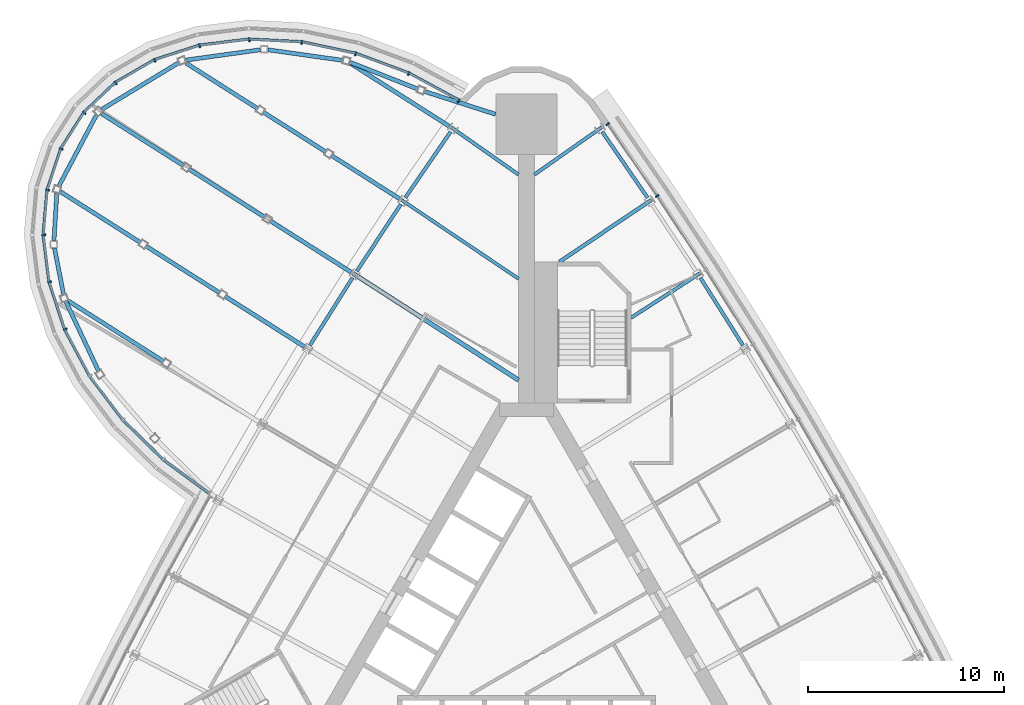
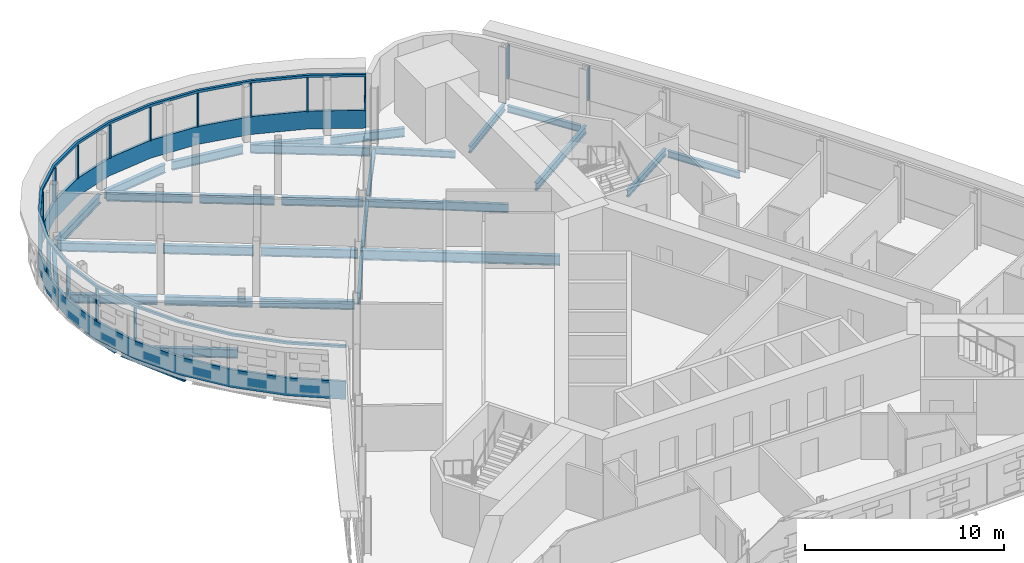
# One storey, part 8 of 17: 31 beams, 18 members, 2 elements without a shape of their own.
"""IFC4 building model written with IfcOpenShell, lengths in metres."""

from ifc_helpers import new_model, si_unit, direction, frame, origin, origin_2d, place, context, subcontext, project, spatial, polyline, rectangle, i_section, outline, extrude, material, material_profile, profile_set, type_object, element, aggregate, save


model = new_model("IFC4")

# Units and contexts
model_context = context("Model", 3, precision=1e-05, world=origin(), true_north=direction((0.0, 1.0)))
body_context = subcontext(model_context, "Body", "Model", "MODEL_VIEW")
ifc_project = project(units=[si_unit("LENGTHUNIT", "METRE"), si_unit("AREAUNIT", "SQUARE_METRE"), si_unit("VOLUMEUNIT", "CUBIC_METRE"), si_unit("PLANEANGLEUNIT", "RADIAN"), si_unit("MASSUNIT", "GRAM", prefix="KILO")], contexts=[model_context])

# Site, building, storey
site_placement = place(None, origin())
site = spatial("IfcSite", under=ifc_project, at=site_placement, CompositionType="ELEMENT")
building_placement = place(site_placement, origin())
building = spatial("IfcBuilding", under=site, at=building_placement, Name="Noor Cloister Tower", CompositionType="ELEMENT")
storey_placement = place(building_placement, frame((0.0, 0.0, 98.699951171875)))
storey = spatial("IfcBuildingStorey", under=building, at=storey_placement, Name="L25", CompositionType="ELEMENT", Elevation=98.699951171875)

# Curtain wall, member
ifc_material_1 = material(Name="Aluminium 6063-T6 anodised", Category="aluminium")
curtain_wall_type_1 = type_object("IfcCurtainWallType", Name="Sky bar curtain wall, lower bars CW2", PredefinedType="NOTDEFINED", material=ifc_material_1)
curtain_wall_1_placement = place(storey_placement, origin())
curtain_wall_1 = element("IfcCurtainWall", 1, at=curtain_wall_1_placement, inside=storey, type_object=curtain_wall_type_1, Name="CW2 L25 NW sky bar run 1", PredefinedType="NOTDEFINED")
ifc_material_2 = material(Name="Aluminium 6063-T6 anodised", Category="aluminium")
member_type_1 = type_object("IfcMemberType", Name="Head transom CW2 150", PredefinedType="USERDEFINED", material=ifc_material_2)
member_1_placement = place(storey_placement, frame((0.0, 0.0, 3.150146484375)))
member_1 = element("IfcMember", 2, at=member_1_placement, type_object=member_type_1, Name="CW2 head transom", ObjectType="TRANSOM", PredefinedType="USERDEFINED", context=body_context, shape_type="SweptSolid", body=[
    extrude(outline(polyline([(-3.37548828125, 26.95263671875), (-5.96630859375, 28.357666015625), (-8.68701171875, 29.370849609375), (-11.445556640625, 29.9580078125), (-14.147705078125, 30.098876953125), (-16.70166015625, 29.7890625), (-19.02001953125, 29.03857421875), (-21.0244140625, 27.873291015625), (-22.646240234375, 26.332763671875), (-23.830078125, 24.469482421875), (-24.5361328125, 22.34716796875), (-24.739990234375, 20.03759765625), (-24.434814453125, 17.619873046875), (-23.631103515625, 15.17626953125), (-22.35595703125, 12.78955078125), (-20.65283203125, 10.54150390625), (-18.580078125, 8.508544921875), (-16.2080078125, 6.759765625), (-16.125, 6.872314453125), (-18.489013671875, 8.615234375), (-20.547607421875, 10.63427734375), (-22.237548828125, 12.865234375), (-23.501708984375, 15.2314453125), (-24.297607421875, 17.65087890625), (-24.59912109375, 20.040283203125), (-24.398193359375, 22.318603515625), (-23.70263671875, 24.408935546875), (-22.537109375, 26.2431640625), (-20.93994140625, 27.760498046875), (-18.962646484375, 28.909912109375), (-16.67138671875, 29.651611328125), (-14.142822265625, 29.95849609375), (-11.4638671875, 29.81884765625), (-8.726318359375, 29.236083984375), (-6.024169921875, 28.22998046875), (-3.4423828125, 26.82958984375), (-3.37548828125, 26.95263671875)])), origin(), (0.0, 0.0, 1.0), 0.14990234375),
])

# Curtain wall, members
ifc_material_3 = material(Name="Aluminium 6063-T6 anodised", Category="aluminium")
curtain_wall_type_2 = type_object("IfcCurtainWallType", Name="Ribbon curtain wall, lower tower CW1", PredefinedType="NOTDEFINED", material=ifc_material_3)
curtain_wall_2_placement = place(storey_placement, origin())
curtain_wall_2 = element("IfcCurtainWall", 3, at=curtain_wall_2_placement, inside=storey, type_object=curtain_wall_type_2, Name="CW1 L25 NE run 4", PredefinedType="NOTDEFINED")
ifc_material_4 = material(Name="Aluminium 6063-T6 anodised", Category="aluminium")
ifc_material_profile_1 = material_profile(ifc_material_4, rectangle(XDim=0.199951171875, YDim=0.080078125, at=origin_2d()), Name="200 x 80 mullion")
ifc_profile_set_1 = profile_set([ifc_material_profile_1], Name="Aluminium 6063-T6 anodised")
member_type_2 = type_object("IfcMemberType", Name="Mullion CW1 80 x 200", PredefinedType="MULLION", material=ifc_profile_set_1)
member_2_placement = place(storey_placement, frame((6.67138671875, 22.015869140625, 1.10009765625), z_axis=(0.0, 0.0, 1.0), x_axis=(-0.829552633113, -0.558428535173, 0.0)))
member_2 = element("IfcMember", 4, at=member_2_placement, type_object=member_type_2, Name="CW1 mullion 9", PredefinedType="MULLION", context=body_context, shape_type="SweptSolid", body=[
    extrude(rectangle(XDim=0.199951171875, YDim=0.080078125, at=origin_2d()), origin(), (0.0, 0.0, 1.0), 2.050048828125),
])
member_3_placement = place(storey_placement, frame((4.14501953125, 25.690185546875, 1.10009765625), z_axis=(0.0, 0.0, 1.0), x_axis=(-0.8240166995, -0.566565511609, 0.0)))
member_3 = element("IfcMember", 5, at=member_3_placement, type_object=member_type_2, Name="CW1 mullion 10", PredefinedType="MULLION", context=body_context, shape_type="SweptSolid", body=[
    extrude(rectangle(XDim=0.199951171875, YDim=0.080078125, at=origin_2d()), origin(), (0.0, 0.0, 1.0), 2.050048828125),
])
aggregate(curtain_wall_2, [member_2, member_3])

# Member
ifc_material_5 = material(Name="Aluminium 6063-T6 anodised", Category="aluminium")
ifc_material_profile_2 = material_profile(ifc_material_5, rectangle(XDim=0.199951171875, YDim=0.080078125, at=origin_2d()), Name="200 x 80 mullion")
ifc_profile_set_2 = profile_set([ifc_material_profile_2], Name="Aluminium 6063-T6 anodised")
member_type_3 = type_object("IfcMemberType", Name="Mullion CW2 80 x 200", PredefinedType="MULLION", material=ifc_profile_set_2)
member_4_placement = place(storey_placement, frame((-3.45849609375, 26.8837890625, 1.10009765625), z_axis=(0.0, 0.0, 1.0), x_axis=(-0.476733850271, -0.879047686992, 0.0)))
member_4 = element("IfcMember", 6, at=member_4_placement, type_object=member_type_3, Name="CW2 mullion 1", PredefinedType="MULLION", context=body_context, shape_type="SweptSolid", body=[
    extrude(rectangle(XDim=0.199951171875, YDim=0.080078125, at=origin_2d()), origin(), (0.0, 0.0, 1.0), 2.050048828125),
])

member_5_placement = place(storey_placement, frame((-6.007568359375, 28.266357421875, 1.10009765625), z_axis=(0.0, 0.0, 1.0), x_axis=(-0.413885361779, -0.910329010471, 0.0)))
member_5 = element("IfcMember", 7, at=member_5_placement, type_object=member_type_3, Name="CW2 mullion 2", PredefinedType="MULLION", context=body_context, shape_type="SweptSolid", body=[
    extrude(rectangle(XDim=0.199951171875, YDim=0.080078125, at=origin_2d()), origin(), (0.0, 0.0, 1.0), 2.050048828125),
])

member_6_placement = place(storey_placement, frame((-8.715087890625, 29.274658203125, 1.10009765625), z_axis=(0.0, 0.0, 1.0), x_axis=(-0.279338193342, -0.960192779467, 0.0)))
member_6 = element("IfcMember", 8, at=member_6_placement, type_object=member_type_3, Name="CW2 mullion 3", PredefinedType="MULLION", context=body_context, shape_type="SweptSolid", body=[
    extrude(rectangle(XDim=0.199951171875, YDim=0.080078125, at=origin_2d()), origin(), (0.0, 0.0, 1.0), 2.050048828125),
])

member_7_placement = place(storey_placement, frame((-11.458740234375, 29.858642578125, 1.10009765625), z_axis=(0.0, 0.0, 1.0), x_axis=(-0.130537007198, -0.991443437495, 0.0)))
member_7 = element("IfcMember", 9, at=member_7_placement, type_object=member_type_3, Name="CW2 mullion 4", PredefinedType="MULLION", context=body_context, shape_type="SweptSolid", body=[
    extrude(rectangle(XDim=0.199951171875, YDim=0.080078125, at=origin_2d()), origin(), (0.0, 0.0, 1.0), 2.050048828125),
])

member_8_placement = place(storey_placement, frame((-14.144287109375, 29.99853515625, 1.10009765625), z_axis=(0.0, 0.0, 1.0), x_axis=(0.034339163222, -0.999410237024, 0.0)))
member_8 = element("IfcMember", 10, at=member_8_placement, type_object=member_type_3, Name="CW2 mullion 5", PredefinedType="MULLION", context=body_context, shape_type="SweptSolid", body=[
    extrude(rectangle(XDim=0.199951171875, YDim=0.080078125, at=origin_2d()), origin(), (0.0, 0.0, 1.0), 2.050048828125),
])

member_9_placement = place(storey_placement, frame((-16.679931640625, 29.69091796875, 1.10009765625), z_axis=(0.0, 0.0, 1.0), x_axis=(0.215217945533, -0.976566042785, 0.0)))
member_9 = element("IfcMember", 11, at=member_9_placement, type_object=member_type_3, Name="CW2 mullion 6", PredefinedType="MULLION", context=body_context, shape_type="SweptSolid", body=[
    extrude(rectangle(XDim=0.199951171875, YDim=0.080078125, at=origin_2d()), origin(), (0.0, 0.0, 1.0), 2.050048828125),
])

member_10_placement = place(storey_placement, frame((-18.97900390625, 28.94677734375, 1.10009765625), z_axis=(0.0, 0.0, 1.0), x_axis=(0.407603993051, -0.91315879498, 0.0)))
member_10 = element("IfcMember", 12, at=member_10_placement, type_object=member_type_3, Name="CW2 mullion 7", PredefinedType="MULLION", context=body_context, shape_type="SweptSolid", body=[
    extrude(rectangle(XDim=0.199951171875, YDim=0.080078125, at=origin_2d()), origin(), (0.0, 0.0, 1.0), 2.050048828125),
])

member_11_placement = place(storey_placement, frame((-20.9638671875, 27.792724609375, 1.10009765625), z_axis=(0.0, 0.0, 1.0), x_axis=(0.599728606641, -0.800203473109, 0.0)))
member_11 = element("IfcMember", 13, at=member_11_placement, type_object=member_type_3, Name="CW2 mullion 8", PredefinedType="MULLION", context=body_context, shape_type="SweptSolid", body=[
    extrude(rectangle(XDim=0.199951171875, YDim=0.080078125, at=origin_2d()), origin(), (0.0, 0.0, 1.0), 2.050048828125),
])

member_12_placement = place(storey_placement, frame((-22.568359375, 26.268798828125, 1.10009765625), z_axis=(0.0, 0.0, 1.0), x_axis=(0.772133014619, -0.635460941156, 0.0)))
member_12 = element("IfcMember", 14, at=member_12_placement, type_object=member_type_3, Name="CW2 mullion 9", PredefinedType="MULLION", context=body_context, shape_type="SweptSolid", body=[
    extrude(rectangle(XDim=0.199951171875, YDim=0.080078125, at=origin_2d()), origin(), (0.0, 0.0, 1.0), 2.050048828125),
])

member_13_placement = place(storey_placement, frame((-23.7392578125, 24.42626953125, 1.10009765625), z_axis=(0.0, 0.0, 1.0), x_axis=(0.903208899388, -0.429201216292, 0.0)))
member_13 = element("IfcMember", 15, at=member_13_placement, type_object=member_type_3, Name="CW2 mullion 10", PredefinedType="MULLION", context=body_context, shape_type="SweptSolid", body=[
    extrude(rectangle(XDim=0.199951171875, YDim=0.080078125, at=origin_2d()), origin(), (0.0, 0.0, 1.0), 2.050048828125),
])

member_14_placement = place(storey_placement, frame((-24.4375, 22.32666015625, 1.10009765625), z_axis=(0.0, 0.0, 1.0), x_axis=(0.979146575689, -0.203155072094, 0.0)))
member_14 = element("IfcMember", 16, at=member_14_placement, type_object=member_type_3, Name="CW2 mullion 11", PredefinedType="MULLION", context=body_context, shape_type="SweptSolid", body=[
    extrude(rectangle(XDim=0.199951171875, YDim=0.080078125, at=origin_2d()), origin(), (0.0, 0.0, 1.0), 2.050048828125),
])

member_15_placement = place(storey_placement, frame((-24.639404296875, 20.03955078125, 1.10009765625), z_axis=(0.0, 0.0, 1.0), x_axis=(0.999824146621, 0.01875302198, 0.0)))
member_15 = element("IfcMember", 17, at=member_15_placement, type_object=member_type_3, Name="CW2 mullion 12", PredefinedType="MULLION", context=body_context, shape_type="SweptSolid", body=[
    extrude(rectangle(XDim=0.199951171875, YDim=0.080078125, at=origin_2d()), origin(), (0.0, 0.0, 1.0), 2.050048828125),
])

member_16_placement = place(storey_placement, frame((-24.3369140625, 17.64208984375, 1.10009765625), z_axis=(0.0, 0.0, 1.0), x_axis=(0.975532134226, 0.21985689685, 0.0)))
member_16 = element("IfcMember", 18, at=member_16_placement, type_object=member_type_3, Name="CW2 mullion 13", PredefinedType="MULLION", context=body_context, shape_type="SweptSolid", body=[
    extrude(rectangle(XDim=0.199951171875, YDim=0.080078125, at=origin_2d()), origin(), (0.0, 0.0, 1.0), 2.050048828125),
])

member_17_placement = place(storey_placement, frame((-23.538818359375, 15.215576171875, 1.10009765625), z_axis=(0.0, 0.0, 1.0), x_axis=(0.91940282099, 0.393317241875, 0.0)))
member_17 = element("IfcMember", 19, at=member_17_placement, type_object=member_type_3, Name="CW2 mullion 14", PredefinedType="MULLION", context=body_context, shape_type="SweptSolid", body=[
    extrude(rectangle(XDim=0.199951171875, YDim=0.080078125, at=origin_2d()), origin(), (0.0, 0.0, 1.0), 2.050048828125),
])

# Beams
ifc_material_6 = material(Name="Steel ASTM A992 Gr 50", Category="steel")
ifc_material_profile_3 = material_profile(ifc_material_6, i_section(OverallWidth=0.208984375, OverallDepth=0.532958984375, WebThickness=0.01025390625, FlangeThickness=0.015625, FilletRadius=0.0126953125, at=origin_2d()), Name="W530x92")
ifc_profile_set_3 = profile_set([ifc_material_profile_3], Name="Steel ASTM A992 Gr 50")
beam_type_1 = type_object("IfcBeamType", Name="Pod floor beam W530x92", PredefinedType="BEAM", material=ifc_profile_set_3)
beam_1_placement = place(storey_placement, frame((-3.92724609375, 25.5732421875, -0.466552734375), z_axis=(-0.843989215704, 0.536360143724, 0.0), x_axis=(-0.536360143724, -0.843989215704, 0.0)))
element("IfcBeam", 20, at=beam_1_placement, inside=storey, type_object=beam_type_1, Name="Pod floor beam 2 L25 line 1 span 1", PredefinedType="BEAM", context=body_context, shape_type="SweptSolid", body=[
    extrude(i_section(OverallWidth=0.208984375, OverallDepth=0.532958984375, WebThickness=0.01025390625, FlangeThickness=0.015625, FilletRadius=0.0126953125, at=origin_2d()), origin(), (0.0, 0.0, 1.0), 6.00927734375),
])
beam_2_placement = place(storey_placement, frame((-6.46875, 21.873046875, -0.466552734375), z_axis=(-0.843972285971, 0.536386782566, 0.0), x_axis=(-0.536386782566, -0.843972285971, 0.0)))
element("IfcBeam", 21, at=beam_2_placement, inside=storey, type_object=beam_type_1, Name="Pod floor beam 2 L25 line 2 span 1", PredefinedType="BEAM", context=body_context, shape_type="SweptSolid", body=[
    extrude(i_section(OverallWidth=0.208984375, OverallDepth=0.532958984375, WebThickness=0.01025390625, FlangeThickness=0.015625, FilletRadius=0.0126953125, at=origin_2d()), origin(), (0.0, 0.0, 1.0), 4.10595703125),
])
beam_3_placement = place(storey_placement, frame((-10.234619140625, 24.266357421875, -0.466552734375), z_axis=(-0.843997356309, 0.536347333865, 0.0), x_axis=(-0.536347333865, -0.843997356309, 0.0)))
element("IfcBeam", 22, at=beam_3_placement, inside=storey, type_object=beam_type_1, Name="Pod floor beam 2 L25 line 2 span 2", PredefinedType="BEAM", context=body_context, shape_type="SweptSolid", body=[
    extrude(i_section(OverallWidth=0.208984375, OverallDepth=0.532958984375, WebThickness=0.01025390625, FlangeThickness=0.015625, FilletRadius=0.0126953125, at=origin_2d()), origin(), (0.0, 0.0, 1.0), 3.76953125),
])
beam_4_placement = place(storey_placement, frame((-13.716552734375, 26.47900390625, -0.466552734375), z_axis=(-0.844008122909, 0.536330391143, 0.0), x_axis=(-0.536330391143, -0.844008122909, 0.0)))
element("IfcBeam", 23, at=beam_4_placement, inside=storey, type_object=beam_type_1, Name="Pod floor beam 2 L25 line 2 span 3", PredefinedType="BEAM", context=body_context, shape_type="SweptSolid", body=[
    extrude(i_section(OverallWidth=0.208984375, OverallDepth=0.532958984375, WebThickness=0.01025390625, FlangeThickness=0.015625, FilletRadius=0.0126953125, at=origin_2d()), origin(), (0.0, 0.0, 1.0), 4.319091796875),
])
beam_5_placement = place(storey_placement, frame((-8.93701171875, 18.12353515625, -0.466552734375), z_axis=(-0.843994576077, 0.536351708818, 0.0), x_axis=(-0.536351708818, -0.843994576077, 0.0)))
element("IfcBeam", 24, at=beam_5_placement, inside=storey, type_object=beam_type_1, Name="Pod floor beam 2 L25 line 3 span 1", PredefinedType="BEAM", context=body_context, shape_type="SweptSolid", body=[
    extrude(i_section(OverallWidth=0.208984375, OverallDepth=0.532958984375, WebThickness=0.01025390625, FlangeThickness=0.015625, FilletRadius=0.0126953125, at=origin_2d()), origin(), (0.0, 0.0, 1.0), 4.886962890625),
])
beam_6_placement = place(storey_placement, frame((-13.362060546875, 20.935546875, -0.466552734375), z_axis=(-0.844003591589, 0.536337521888, 0.0), x_axis=(-0.536337521888, -0.844003591589, 0.0)))
element("IfcBeam", 25, at=beam_6_placement, inside=storey, type_object=beam_type_1, Name="Pod floor beam 2 L25 line 3 span 2", PredefinedType="BEAM", context=body_context, shape_type="SweptSolid", body=[
    extrude(i_section(OverallWidth=0.208984375, OverallDepth=0.532958984375, WebThickness=0.01025390625, FlangeThickness=0.015625, FilletRadius=0.0126953125, at=origin_2d()), origin(), (0.0, 0.0, 1.0), 4.552490234375),
])
beam_7_placement = place(storey_placement, frame((-17.504638671875, 23.568115234375, -0.466552734375), z_axis=(-0.843986539522, 0.536364354805, 0.0), x_axis=(-0.536364354805, -0.843986539522, 0.0)))
element("IfcBeam", 26, at=beam_7_placement, inside=storey, type_object=beam_type_1, Name="Pod floor beam 2 L25 line 3 span 3", PredefinedType="BEAM", context=body_context, shape_type="SweptSolid", body=[
    extrude(i_section(OverallWidth=0.208984375, OverallDepth=0.532958984375, WebThickness=0.01025390625, FlangeThickness=0.015625, FilletRadius=0.0126953125, at=origin_2d()), origin(), (0.0, 0.0, 1.0), 4.946044921875),
])
beam_8_placement = place(storey_placement, frame((-11.33349609375, 14.32763671875, -0.466552734375), z_axis=(-0.844000855951, 0.536341826781, 0.0), x_axis=(-0.536341826781, -0.844000855951, 0.0)))
element("IfcBeam", 27, at=beam_8_placement, inside=storey, type_object=beam_type_1, Name="Pod floor beam 2 L25 line 4 span 1", PredefinedType="BEAM", context=body_context, shape_type="SweptSolid", body=[
    extrude(i_section(OverallWidth=0.208984375, OverallDepth=0.532958984375, WebThickness=0.01025390625, FlangeThickness=0.015625, FilletRadius=0.0126953125, at=origin_2d()), origin(), (0.0, 0.0, 1.0), 4.766845703125),
])
beam_9_placement = place(storey_placement, frame((-15.6572265625, 17.0751953125, -0.466552734375), z_axis=(-0.844003834016, 0.536337140394, 0.0), x_axis=(-0.536337140394, -0.844003834016, 0.0)))
element("IfcBeam", 28, at=beam_9_placement, inside=storey, type_object=beam_type_1, Name="Pod floor beam 2 L25 line 4 span 2", PredefinedType="BEAM", context=body_context, shape_type="SweptSolid", body=[
    extrude(i_section(OverallWidth=0.208984375, OverallDepth=0.532958984375, WebThickness=0.01025390625, FlangeThickness=0.015625, FilletRadius=0.0126953125, at=origin_2d()), origin(), (0.0, 0.0, 1.0), 4.431884765625),
])
beam_10_placement = place(storey_placement, frame((-19.697998046875, 19.643310546875, -0.466552734375), z_axis=(-0.844006413162, 0.536333081714, 0.0), x_axis=(-0.536333081714, -0.844006413162, 0.0)))
element("IfcBeam", 29, at=beam_10_placement, inside=storey, type_object=beam_type_1, Name="Pod floor beam 2 L25 line 4 span 3", PredefinedType="BEAM", context=body_context, shape_type="SweptSolid", body=[
    extrude(i_section(OverallWidth=0.208984375, OverallDepth=0.532958984375, WebThickness=0.01025390625, FlangeThickness=0.015625, FilletRadius=0.0126953125, at=origin_2d()), origin(), (0.0, 0.0, 1.0), 4.835693359375),
])
beam_11_placement = place(storey_placement, frame((-18.521728515625, 13.578125, -0.466552734375), z_axis=(-0.844002290761, 0.536339568921, 0.0), x_axis=(-0.536339568921, -0.844002290761, 0.0)))
element("IfcBeam", 30, at=beam_11_placement, inside=storey, type_object=beam_type_1, Name="Pod floor beam 2 L25 line 5 span 2", PredefinedType="BEAM", context=body_context, shape_type="SweptSolid", body=[
    extrude(i_section(OverallWidth=0.208984375, OverallDepth=0.532958984375, WebThickness=0.01025390625, FlangeThickness=0.015625, FilletRadius=0.0126953125, at=origin_2d()), origin(), (0.0, 0.0, 1.0), 5.749267578125),
])
beam_12_placement = place(storey_placement, frame((-1.581787109375, 26.192138671875, -0.466552734375), z_axis=(-0.952053300832, 0.305932202252, 0.0), x_axis=(-0.305932202252, -0.952053300832, 0.0)))
element("IfcBeam", 31, at=beam_12_placement, inside=storey, type_object=beam_type_1, Name="Pod floor beam 2 L25 ring 1", PredefinedType="BEAM", context=body_context, shape_type="SweptSolid", body=[
    extrude(i_section(OverallWidth=0.208984375, OverallDepth=0.532958984375, WebThickness=0.01025390625, FlangeThickness=0.015625, FilletRadius=0.0126953125, at=origin_2d()), origin(), (0.0, 0.0, 1.0), 3.798583984375),
])
beam_13_placement = place(storey_placement, frame((-5.5400390625, 27.47607421875, -0.466552734375), z_axis=(-0.930165819352, 0.367139685283, 0.0), x_axis=(-0.367139685283, -0.930165819352, 0.0)))
element("IfcBeam", 32, at=beam_13_placement, inside=storey, type_object=beam_type_1, Name="Pod floor beam 2 L25 ring 2", PredefinedType="BEAM", context=body_context, shape_type="SweptSolid", body=[
    extrude(i_section(OverallWidth=0.208984375, OverallDepth=0.532958984375, WebThickness=0.01025390625, FlangeThickness=0.015625, FilletRadius=0.0126953125, at=origin_2d()), origin(), (0.0, 0.0, 1.0), 3.7265625),
])
beam_14_placement = place(storey_placement, frame((-9.374267578125, 28.94140625, -0.466552734375), z_axis=(-0.990158547514, 0.139950172509, 0.0), x_axis=(-0.139950172509, -0.990158547514, 0.0)))
element("IfcBeam", 33, at=beam_14_placement, inside=storey, type_object=beam_type_1, Name="Pod floor beam 2 L25 ring 3", PredefinedType="BEAM", context=body_context, shape_type="SweptSolid", body=[
    extrude(i_section(OverallWidth=0.208984375, OverallDepth=0.532958984375, WebThickness=0.01025390625, FlangeThickness=0.015625, FilletRadius=0.0126953125, at=origin_2d()), origin(), (0.0, 0.0, 1.0), 3.85693359375),
])
beam_15_placement = place(storey_placement, frame((-13.578369140625, 29.48193359375, -0.466552734375), z_axis=(-0.990551600656, -0.137140535357, 0.0), x_axis=(0.137140535357, -0.990551600656, 0.0)))
element("IfcBeam", 34, at=beam_15_placement, inside=storey, type_object=beam_type_1, Name="Pod floor beam 2 L25 ring 4", PredefinedType="BEAM", context=body_context, shape_type="SweptSolid", body=[
    extrude(i_section(OverallWidth=0.208984375, OverallDepth=0.532958984375, WebThickness=0.01025390625, FlangeThickness=0.015625, FilletRadius=0.0126953125, at=origin_2d()), origin(), (0.0, 0.0, 1.0), 3.82568359375),
])
beam_16_placement = place(storey_placement, frame((-17.74365234375, 28.824951171875, -0.466552734375), z_axis=(-0.85463846229, -0.519223553755, 0.0), x_axis=(0.519223553755, -0.85463846229, 0.0)))
element("IfcBeam", 35, at=beam_16_placement, inside=storey, type_object=beam_type_1, Name="Pod floor beam 2 L25 ring 5", PredefinedType="BEAM", context=body_context, shape_type="SweptSolid", body=[
    extrude(i_section(OverallWidth=0.208984375, OverallDepth=0.532958984375, WebThickness=0.01025390625, FlangeThickness=0.015625, FilletRadius=0.0126953125, at=origin_2d()), origin(), (0.0, 0.0, 1.0), 4.59423828125),
])
beam_17_placement = place(storey_placement, frame((-21.951416015625, 26.13916015625, -0.466552734375), z_axis=(-0.467511937822, -0.883986757816, 0.0), x_axis=(0.883986757816, -0.467511937822, 0.0)))
element("IfcBeam", 36, at=beam_17_placement, inside=storey, type_object=beam_type_1, Name="Pod floor beam 2 L25 ring 6", PredefinedType="BEAM", context=body_context, shape_type="SweptSolid", body=[
    extrude(i_section(OverallWidth=0.208984375, OverallDepth=0.532958984375, WebThickness=0.01025390625, FlangeThickness=0.015625, FilletRadius=0.0126953125, at=origin_2d()), origin(), (0.0, 0.0, 1.0), 4.090087890625),
])
beam_18_placement = place(storey_placement, frame((-23.968505859375, 22.136962890625, -0.466552734375), z_axis=(-0.06003423324, -0.998196318787, 0.0), x_axis=(0.998196318787, -0.06003423324, 0.0)))
element("IfcBeam", 37, at=beam_18_placement, inside=storey, type_object=beam_type_1, Name="Pod floor beam 2 L25 ring 7", PredefinedType="BEAM", context=body_context, shape_type="SweptSolid", body=[
    extrude(i_section(OverallWidth=0.208984375, OverallDepth=0.532958984375, WebThickness=0.01025390625, FlangeThickness=0.015625, FilletRadius=0.0126953125, at=origin_2d()), origin(), (0.0, 0.0, 1.0), 2.3994140625),
])
beam_19_placement = place(storey_placement, frame((-24.0869140625, 19.3603515625, -0.466552734375), z_axis=(0.192153252739, -0.981364930829, 0.0), x_axis=(0.981364930829, 0.192153252739, 0.0)))
element("IfcBeam", 38, at=beam_19_placement, inside=storey, type_object=beam_type_1, Name="Pod floor beam 2 L25 ring 8", PredefinedType="BEAM", context=body_context, shape_type="SweptSolid", body=[
    extrude(i_section(OverallWidth=0.208984375, OverallDepth=0.532958984375, WebThickness=0.01025390625, FlangeThickness=0.015625, FilletRadius=0.0126953125, at=origin_2d()), origin(), (0.0, 0.0, 1.0), 2.41796875),
])
beam_20_placement = place(storey_placement, frame((-23.50439453125, 16.62451171875, -0.466552734375), z_axis=(0.425493149697, -0.904961645354, 0.0), x_axis=(0.904961645354, 0.425493149697, 0.0)))
element("IfcBeam", 39, at=beam_20_placement, inside=storey, type_object=beam_type_1, Name="Pod floor beam 2 L25 ring 9", PredefinedType="BEAM", context=body_context, shape_type="SweptSolid", body=[
    extrude(i_section(OverallWidth=0.208984375, OverallDepth=0.532958984375, WebThickness=0.01025390625, FlangeThickness=0.015625, FilletRadius=0.0126953125, at=origin_2d()), origin(), (0.0, 0.0, 1.0), 3.907958984375),
])
ifc_material_7 = material(Name="Steel ASTM A992 Gr 50", Category="steel")
ifc_material_profile_4 = material_profile(ifc_material_7, i_section(OverallWidth=0.177978515625, OverallDepth=0.406005859375, WebThickness=0.0078125, FlangeThickness=0.0126953125, FilletRadius=0.01025390625, at=origin_2d()), Name="W410x60")
ifc_profile_set_4 = profile_set([ifc_material_profile_4], Name="Steel ASTM A992 Gr 50")
beam_type_2 = type_object("IfcBeamType", Name="Radial beam W410x60", PredefinedType="BEAM", material=ifc_profile_set_4)
beam_21_placement = place(storey_placement, frame((-3.8369140625, 25.521484375, -0.40283203125), z_axis=(0.818400808942, -0.574647819036, 0.0), x_axis=(0.574647819036, 0.818400808942, 0.0)))
element("IfcBeam", 40, at=beam_21_placement, inside=storey, type_object=beam_type_2, Name="Radial beam NW 01 L25", PredefinedType="BEAM", context=body_context, shape_type="SweptSolid", body=[
    extrude(i_section(OverallWidth=0.177978515625, OverallDepth=0.406005859375, WebThickness=0.0078125, FlangeThickness=0.0126953125, FilletRadius=0.01025390625, at=origin_2d()), origin(), (0.0, 0.0, 1.0), 4.19970703125),
])
beam_22_placement = place(storey_placement, frame((8.8525390625, 18.070556640625, -0.40283203125), z_axis=(-0.840390940062, -0.541980689565, 0.0), x_axis=(0.541980689565, -0.840390940062, 0.0)))
element("IfcBeam", 41, at=beam_22_placement, inside=storey, type_object=beam_type_2, Name="Radial beam NE 08 L25", PredefinedType="BEAM", context=body_context, shape_type="SweptSolid", body=[
    extrude(i_section(OverallWidth=0.177978515625, OverallDepth=0.406005859375, WebThickness=0.0078125, FlangeThickness=0.0126953125, FilletRadius=0.01025390625, at=origin_2d()), origin(), (0.0, 0.0, 1.0), 4.184814453125),
])
beam_23_placement = place(storey_placement, frame((3.8369140625, 25.521484375, -0.40283203125), z_axis=(-0.818400808942, -0.574647819036, 0.0), x_axis=(0.574647819036, -0.818400808942, 0.0)))
element("IfcBeam", 42, at=beam_23_placement, inside=storey, type_object=beam_type_2, Name="Radial beam NE 10 L25", PredefinedType="BEAM", context=body_context, shape_type="SweptSolid", body=[
    extrude(i_section(OverallWidth=0.177978515625, OverallDepth=0.406005859375, WebThickness=0.0078125, FlangeThickness=0.0126953125, FilletRadius=0.01025390625, at=origin_2d()), origin(), (0.0, 0.0, 1.0), 4.19970703125),
])
ifc_material_8 = material(Name="Steel ASTM A992 Gr 50", Category="steel")
ifc_material_profile_5 = material_profile(ifc_material_8, i_section(OverallWidth=0.19091796875, OverallDepth=0.45703125, WebThickness=0.009033203125, FlangeThickness=0.014404296875, FilletRadius=0.01025390625, at=origin_2d()), Name="W460x74")
ifc_profile_set_5 = profile_set([ifc_material_profile_5], Name="Steel ASTM A992 Gr 50")
beam_type_3 = type_object("IfcBeamType", Name="Radial beam W460x74", PredefinedType="BEAM", material=ifc_profile_set_5)
beam_24_placement = place(storey_placement, frame((6.38134765625, 21.82080078125, -0.428466796875), z_axis=(-0.829556274272, -0.558423126147, 0.0), x_axis=(0.558423126147, -0.829556274272, 0.0)))
element("IfcBeam", 43, at=beam_24_placement, inside=storey, type_object=beam_type_3, Name="Radial beam NE 09 L25", PredefinedType="BEAM", context=body_context, shape_type="SweptSolid", body=[
    extrude(i_section(OverallWidth=0.19091796875, OverallDepth=0.45703125, WebThickness=0.009033203125, FlangeThickness=0.014404296875, FilletRadius=0.01025390625, at=origin_2d()), origin(), (0.0, 0.0, 1.0), 5.66650390625),
])
ifc_material_9 = material(Name="Steel ASTM A992 Gr 50", Category="steel")
ifc_material_profile_6 = material_profile(ifc_material_9, i_section(OverallWidth=0.166015625, OverallDepth=0.528076171875, WebThickness=0.009765625, FlangeThickness=0.013671875, FilletRadius=0.0126953125, at=origin_2d()), Name="W530x74")
ifc_profile_set_6 = profile_set([ifc_material_profile_6], Name="Steel ASTM A992 Gr 50")
beam_type_4 = type_object("IfcBeamType", Name="Radial beam W530x74", PredefinedType="BEAM", material=ifc_profile_set_6)
beam_25_placement = place(storey_placement, frame((-6.38134765625, 21.82080078125, -0.4638671875), z_axis=(0.829546725, -0.55843731165, 0.0), x_axis=(0.55843731165, 0.829546725, 0.0)))
element("IfcBeam", 44, at=beam_25_placement, inside=storey, type_object=beam_type_4, Name="Radial beam NW 02 L25", PredefinedType="BEAM", context=body_context, shape_type="SweptSolid", body=[
    extrude(i_section(OverallWidth=0.166015625, OverallDepth=0.528076171875, WebThickness=0.009765625, FlangeThickness=0.013671875, FilletRadius=0.0126953125, at=origin_2d()), origin(), (0.0, 0.0, 1.0), 7.21044921875),
])
ifc_material_10 = material(Name="Steel ASTM A992 Gr 50", Category="steel")
ifc_material_profile_7 = material_profile(ifc_material_10, i_section(OverallWidth=0.22802734375, OverallDepth=0.60205078125, WebThickness=0.010498046875, FlangeThickness=0.014892578125, FilletRadius=0.0126953125, at=origin_2d()), Name="W610x101")
ifc_profile_set_7 = profile_set([ifc_material_profile_7], Name="Steel ASTM A992 Gr 50")
beam_type_5 = type_object("IfcBeamType", Name="Radial beam W610x101", PredefinedType="BEAM", material=ifc_profile_set_7)
beam_26_placement = place(storey_placement, frame((-8.8525390625, 18.070556640625, -0.5009765625), z_axis=(0.840393657028, -0.541976476637, 0.0), x_axis=(0.541976476637, 0.840393657028, 0.0)))
element("IfcBeam", 45, at=beam_26_placement, inside=storey, type_object=beam_type_5, Name="Radial beam NW 03 L25", PredefinedType="BEAM", context=body_context, shape_type="SweptSolid", body=[
    extrude(i_section(OverallWidth=0.22802734375, OverallDepth=0.60205078125, WebThickness=0.010498046875, FlangeThickness=0.014892578125, FilletRadius=0.0126953125, at=origin_2d()), origin(), (0.0, 0.0, 1.0), 10.057861328125),
])

# Member
ifc_material_11 = material(Name="Aluminium 6063-T6 anodised", Category="aluminium")
member_type_4 = type_object("IfcMemberType", Name="Sill transom CW2 1100", PredefinedType="USERDEFINED", material=ifc_material_11)
member_18_placement = place(storey_placement, origin())
member_18 = element("IfcMember", 46, at=member_18_placement, type_object=member_type_4, Name="CW2 sill transom", ObjectType="TRANSOM", PredefinedType="USERDEFINED", context=body_context, shape_type="SweptSolid", body=[
    extrude(outline(polyline([(-3.37548828125, 26.95263671875), (-5.96630859375, 28.357666015625), (-8.68701171875, 29.370849609375), (-11.445556640625, 29.9580078125), (-14.147705078125, 30.098876953125), (-16.70166015625, 29.7890625), (-19.02001953125, 29.03857421875), (-21.0244140625, 27.873291015625), (-22.646240234375, 26.332763671875), (-23.830078125, 24.469482421875), (-24.5361328125, 22.34716796875), (-24.739990234375, 20.03759765625), (-24.434814453125, 17.619873046875), (-23.631103515625, 15.17626953125), (-22.35595703125, 12.78955078125), (-20.65283203125, 10.54150390625), (-18.580078125, 8.508544921875), (-16.2080078125, 6.759765625), (-16.125, 6.872314453125), (-18.489013671875, 8.615234375), (-20.547607421875, 10.63427734375), (-22.237548828125, 12.865234375), (-23.501708984375, 15.2314453125), (-24.297607421875, 17.65087890625), (-24.59912109375, 20.040283203125), (-24.398193359375, 22.318603515625), (-23.70263671875, 24.408935546875), (-22.537109375, 26.2431640625), (-20.93994140625, 27.760498046875), (-18.962646484375, 28.909912109375), (-16.67138671875, 29.651611328125), (-14.142822265625, 29.95849609375), (-11.4638671875, 29.81884765625), (-8.726318359375, 29.236083984375), (-6.024169921875, 28.22998046875), (-3.4423828125, 26.82958984375), (-3.37548828125, 26.95263671875)])), origin(), (0.0, 0.0, 1.0), 1.10009765625),
])

aggregate(curtain_wall_1, [member_4, member_5, member_6, member_7, member_8, member_9, member_10, member_11, member_12, member_13, member_14, member_15, member_16, member_17, member_18, member_1])

# Beams
ifc_material_12 = material(Name="Steel ASTM A992 Gr 50", Category="steel")
ifc_material_profile_8 = material_profile(ifc_material_12, i_section(OverallWidth=0.177978515625, OverallDepth=0.406005859375, WebThickness=0.0078125, FlangeThickness=0.0126953125, FilletRadius=0.01025390625, at=origin_2d()), Name="W410x60")
ifc_profile_set_8 = profile_set([ifc_material_profile_8], Name="Steel ASTM A992 Gr 50")
beam_type_6 = type_object("IfcBeamType", Name="Spandrel beam W410x60", PredefinedType="SPANDREL", material=ifc_profile_set_8)
for number, where, z_axis, x_axis, name in (
    (47, (-3.8681640625, 25.29833984375, -0.40283203125), (-0.566564305905, -0.8240175285, 0.0), (0.8240175285, -0.566564305905, 0.0), "Spandrel beam NW 01 L25"),
    (48, (-6.408203125, 21.59716796875, -0.40283203125), (-0.550254695105, -0.834996868566, 0.0), (0.834996868566, -0.550254695105, 0.0), "Spandrel beam NW 02 L25"),
    (49, (-8.875, 17.8466796875, -0.40283203125), (-0.533703118947, -0.845671910865, 0.0), (0.845671910865, -0.533703118947, 0.0), "Spandrel beam NW 03 L25"),
    (50, (11.056884765625, 14.389404296875, -0.40283203125), (-0.533703118947, 0.845671910865, 0.0), (-0.845671910865, -0.533703118947, 0.0), "Spandrel beam NE 07 L25"),
    (51, (6.184326171875, 21.9296875, -0.40283203125), (-0.566564305905, 0.8240175285, 0.0), (-0.8240175285, -0.566564305905, 0.0), "Spandrel beam NE 09 L25"),
):
    element("IfcBeam", number, at=place(storey_placement, frame(where, z_axis=z_axis, x_axis=x_axis)), inside=storey, type_object=beam_type_6, Name=name, PredefinedType="SPANDREL", context=body_context, shape_type="SweptSolid", body=[
        extrude(i_section(OverallWidth=0.177978515625, OverallDepth=0.406005859375, WebThickness=0.0078125, FlangeThickness=0.0126953125, FilletRadius=0.01025390625, at=origin_2d()), origin(), (0.0, 0.0, 1.0), 4.088134765625),
    ])

save(model, "model.ifc")
